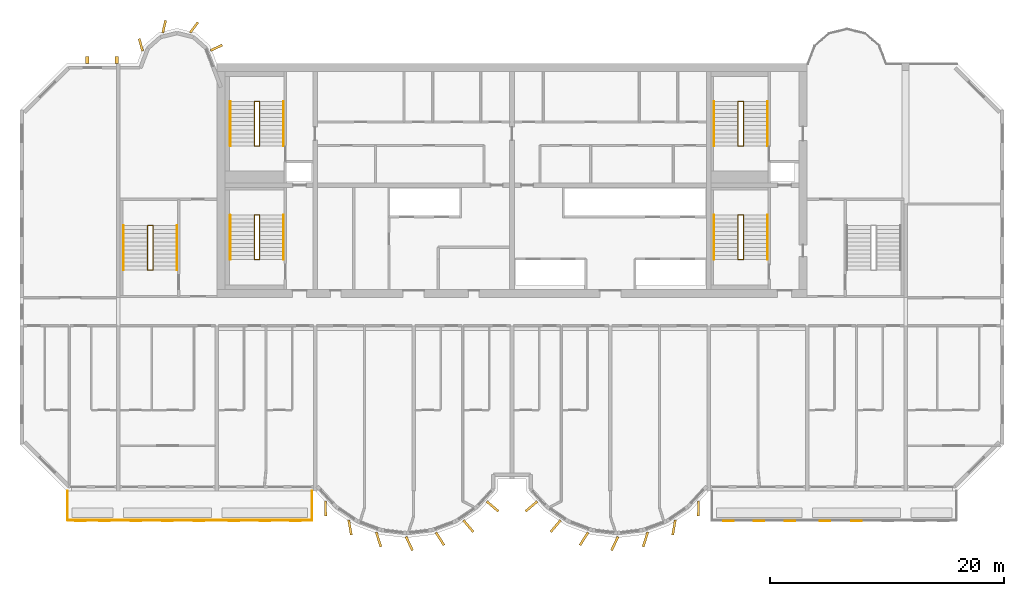
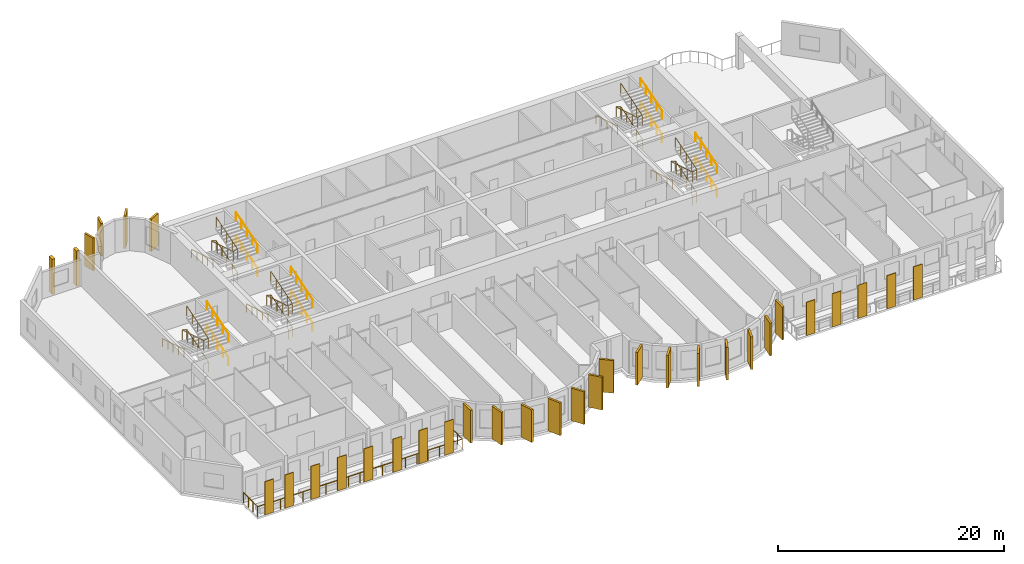
# One storey, part 11 of 13: 33 coverings, 21 railings.
"""IFC4 building model written with IfcOpenShell, lengths in metres."""

import ifcopenshell
import ifcopenshell.guid

model = None  # the IFC model being written
_history = None  # IfcOwnerHistory: only IFC2X3 demands one
_inside = {}  # id of a spatial element -> (the spatial element, [elements in it])
_under = {}  # id of a project, library or spatial element -> (it, [spatial elements below it])
_declared = {}  # id of a project -> (the project, [libraries it declares])
_typed = {}  # id of a type object -> (the type object, [elements of that type])
_made_of = {}  # id of a material, layer set ... -> (it, [elements and type objects made of it])


def new_model(schema):
    """Start an empty IFC model of exactly this schema.

    Asked for "IFC4X3", IfcOpenShell would pick the latest addendum, in which some entities
    have other attributes; the version numbers below select the first issue.
    IFC2X3 requires an IfcOwnerHistory on every rooted entity: one is made here for all.
    """
    global model, _history
    if schema == "IFC4X3":
        model = ifcopenshell.file(schema_version=(4, 3, 0, 0))
    else:
        model = ifcopenshell.file(schema=schema)
    _inside.clear()
    _under.clear()
    _declared.clear()
    _typed.clear()
    _made_of.clear()
    _history = None
    if model.schema == "IFC2X3":
        org = make("IfcOrganization", Name="unknown")
        user = make(
            "IfcPersonAndOrganization",
            ThePerson=make("IfcPerson", FamilyName="unknown"),
            TheOrganization=org,
        )
        app = make(
            "IfcApplication",
            ApplicationDeveloper=org,
            Version="unknown",
            ApplicationFullName="unknown",
            ApplicationIdentifier="unknown",
        )
        _history = make(
            "IfcOwnerHistory",
            OwningUser=user,
            OwningApplication=app,
            ChangeAction="ADDED",
            CreationDate=0,
        )
    return model


def make(cls, **values):
    """One entity of the class cls with the attributes given. An attribute that is None is left unset."""
    return model.create_entity(
        cls, **{name: value for name, value in values.items() if value is not None}
    )


def rooted(cls, **values):
    """An entity with a GlobalId (a new one), such as an element, a storey or a relation."""
    return make(cls, GlobalId=ifcopenshell.guid.new(), OwnerHistory=_history, **values)


def si_unit(unit_type, name, prefix=None):
    """IfcSIUnit, for example si_unit("LENGTHUNIT", "METRE", prefix="MILLI")."""
    return make("IfcSIUnit", UnitType=unit_type, Prefix=prefix, Name=name)


def assignment(units):
    """IfcUnitAssignment: the units of a project."""
    return None if units is None else make("IfcUnitAssignment", Units=units)


def point(xyz):
    """IfcCartesianPoint."""
    return None if xyz is None else make("IfcCartesianPoint", Coordinates=xyz)


def direction(xyz):
    """IfcDirection."""
    return None if xyz is None else make("IfcDirection", DirectionRatios=xyz)


def frame(location, z_axis=None, x_axis=None):
    """IfcAxis2Placement3D, a coordinate frame: its origin and axes. An axis left out is left unset."""
    return make(
        "IfcAxis2Placement3D",
        Location=point(location),
        Axis=direction(z_axis),
        RefDirection=direction(x_axis),
    )


def frame_2d(location, x_axis=None):
    """IfcAxis2Placement2D, a coordinate frame in the plane: its origin and x axis."""
    return make(
        "IfcAxis2Placement2D", Location=point(location), RefDirection=direction(x_axis)
    )


def origin():
    """The frame at (0, 0, 0) with its axes left unset."""
    return frame((0.0, 0.0, 0.0))


def origin_2d():
    """The frame at (0, 0) in the plane with its x axis left unset."""
    return frame_2d((0.0, 0.0))


def place(relative_to, where):
    """IfcLocalPlacement: puts the frame where relative to a parent placement (None: the world)."""
    return make(
        "IfcLocalPlacement", PlacementRelTo=relative_to, RelativePlacement=where
    )


def context(
    kind, dimensions, precision=None, world=None, true_north=None, identifier=None
):
    """IfcGeometricRepresentationContext, for example the 3D "Model" context."""
    return make(
        "IfcGeometricRepresentationContext",
        ContextIdentifier=identifier,
        ContextType=kind,
        CoordinateSpaceDimension=dimensions,
        Precision=precision,
        WorldCoordinateSystem=world,
        TrueNorth=true_north,
    )


def subcontext(parent, identifier, kind, view, scale=None):
    """IfcGeometricRepresentationSubContext, for example "Body" below "Model"."""
    return make(
        "IfcGeometricRepresentationSubContext",
        ContextIdentifier=identifier,
        ContextType=kind,
        ParentContext=parent,
        TargetScale=scale,
        TargetView=view,
    )


def project(units=None, contexts=None):
    """IfcProject with its units and contexts."""
    return rooted(
        "IfcProject",
        Name="project",
        RepresentationContexts=contexts,
        UnitsInContext=assignment(units),
    )


def spatial(cls, under=None, at=None, **own):
    """A site, building, storey or space (cls), placed at a placement, below another one or the project."""
    s = rooted(cls, ObjectPlacement=at, **own)
    if under is not None:
        _under.setdefault(under.id(), (under, []))[1].append(s)
    return s


def profile(cls, at=None, kind="AREA", **sizes):
    """A parametric profile (cls). Its sizes go by their IFC names, for example OverallWidth=200.0."""
    return make(cls, ProfileType=kind, Position=at, **sizes)


def rectangle(**sizes):
    """IfcRectangleProfileDef."""
    return profile("IfcRectangleProfileDef", **sizes)


def circle(**sizes):
    """IfcCircleProfileDef."""
    return profile("IfcCircleProfileDef", **sizes)


def extrude(swept, where, along, depth):
    """IfcExtrudedAreaSolid: the profile swept, set in the frame where, extruded along a direction by depth."""
    return make(
        "IfcExtrudedAreaSolid",
        SweptArea=swept,
        Position=where,
        ExtrudedDirection=direction(along),
        Depth=depth,
    )


def shape(context_of_items, identifier, shape_type, items):
    """IfcShapeRepresentation: the items that make up one representation, for example the "Body"."""
    return make(
        "IfcShapeRepresentation",
        ContextOfItems=context_of_items,
        RepresentationIdentifier=identifier,
        RepresentationType=shape_type,
        Items=items,
    )


def source(mapping_origin, context_of_items, identifier, shape_type, items):
    """IfcRepresentationMap: a shape defined once, which mapped items show again and again."""
    return make(
        "IfcRepresentationMap",
        MappingOrigin=mapping_origin,
        MappedRepresentation=shape(context_of_items, identifier, shape_type, items),
    )


def transform(
    local_origin,
    x_axis=None,
    y_axis=None,
    z_axis=None,
    scale=None,
    scale2=None,
    scale3=None,
    uniform=True,
):
    """IfcCartesianTransformationOperator3D, or its non-uniform kind. x_axis, y_axis, z_axis: its Axis1, 2, 3."""
    if uniform:
        return make(
            "IfcCartesianTransformationOperator3D",
            Axis1=direction(x_axis),
            Axis2=direction(y_axis),
            LocalOrigin=point(local_origin),
            Scale=scale,
            Axis3=direction(z_axis),
        )
    return make(
        "IfcCartesianTransformationOperator3DnonUniform",
        Axis1=direction(x_axis),
        Axis2=direction(y_axis),
        LocalOrigin=point(local_origin),
        Scale=scale,
        Axis3=direction(z_axis),
        Scale2=scale2,
        Scale3=scale3,
    )


def mapped(mapping_source, mapping_target):
    """IfcMappedItem: shows the shape of a source again, moved by a transform."""
    return make(
        "IfcMappedItem", MappingSource=mapping_source, MappingTarget=mapping_target
    )


def material(Name=None, Category=None):
    """IfcMaterial."""
    return make("IfcMaterial", Name=Name, Category=Category)


def layer(
    of_material, thickness, ventilated=None, Name=None, Category=None, Priority=None
):
    """IfcMaterialLayer: one layer of a wall or slab, of a material (None: an air gap)."""
    return make(
        "IfcMaterialLayer",
        Material=of_material,
        LayerThickness=thickness,
        IsVentilated=ventilated,
        Name=Name,
        Category=Category,
        Priority=Priority,
    )


def layer_set(layers, Name=None):
    """IfcMaterialLayerSet."""
    return make("IfcMaterialLayerSet", MaterialLayers=layers, LayerSetName=Name)


def material_profile(
    of_material, cross_section, Name=None, Category=None, Priority=None
):
    """IfcMaterialProfile: a cross section and its material."""
    return make(
        "IfcMaterialProfile",
        Name=Name,
        Material=of_material,
        Profile=cross_section,
        Priority=Priority,
        Category=Category,
    )


def profile_set(profiles, Name=None, composite=None):
    """IfcMaterialProfileSet."""
    return make(
        "IfcMaterialProfileSet",
        Name=Name,
        MaterialProfiles=profiles,
        CompositeProfile=composite,
    )


def made_of(thing, what):
    """Note that an element or type object is made of a material, layer set ...; save() writes the relation."""
    if what is not None:
        _made_of.setdefault(what.id(), (what, []))[1].append(thing)
    return thing


def type_object(cls, material=None, **own):
    """A type object (cls), such as IfcWallType, which elements share."""
    return made_of(rooted(cls, **own), material)


def element(
    cls,
    number,
    at=None,
    inside=None,
    cuts=None,
    type_object=None,
    material=None,
    context=None,
    identifier="Body",
    shape_type=None,
    held_by="IfcProductDefinitionShape",
    body=None,
    shapes=None,
    **own,
):
    """One element of the class cls, such as IfcWall. Its Tag is "e" and its number.

    at: its placement. inside: the storey or other place that contains it. cuts: it is an
    opening in that element (IfcRelVoidsElement). A single representation is given by context,
    identifier, shape_type and body (its items); several are given by shapes. held_by: the class
    of the entity that holds the representations. save() writes the other relations.
    """
    e = rooted(cls, Tag="e%d" % number, ObjectPlacement=at, **own)
    if body is not None:
        shapes = [shape(context, identifier, shape_type, body)]
    if shapes is not None:
        e.Representation = make(held_by, Representations=shapes)
    if inside is not None:
        _inside.setdefault(inside.id(), (inside, []))[1].append(e)
    if cuts is not None:
        rooted(
            "IfcRelVoidsElement", RelatingBuildingElement=cuts, RelatedOpeningElement=e
        )
    if type_object is not None:
        _typed.setdefault(type_object.id(), (type_object, []))[1].append(e)
    return made_of(e, material)


def aggregate(whole, parts):
    """IfcRelAggregates: a whole, such as a stair, and the parts it consists of."""
    return rooted("IfcRelAggregates", RelatingObject=whole, RelatedObjects=parts)


def save(model, path):
    """Write the relations noted so far, then the file.

    IfcRelAggregates (storeys below a building ...), IfcRelContainedInSpatialStructure (elements
    in a storey), IfcRelDefinesByType, IfcRelAssociatesMaterial and IfcRelDeclares: one each for
    every whole, place, type object, material and project.
    """
    for whole, parts in _under.values():
        aggregate(whole, parts)
    for where, things in _inside.values():
        rooted(
            "IfcRelContainedInSpatialStructure",
            RelatedElements=things,
            RelatingStructure=where,
        )
    for kind, things in _typed.values():
        rooted("IfcRelDefinesByType", RelatedObjects=things, RelatingType=kind)
    for what, things in _made_of.values():
        rooted("IfcRelAssociatesMaterial", RelatedObjects=things, RelatingMaterial=what)
    for by, libraries in _declared.values():
        rooted("IfcRelDeclares", RelatingContext=by, RelatedDefinitions=libraries)
    model.write(path)


model = new_model("IFC4")

# Units and contexts
model_context = context("Model", 3, precision=1e-05, world=origin(), true_north=direction((0.0, 1.0)))
body_context = subcontext(model_context, "Body", "Model", "MODEL_VIEW")
ifc_project = project(units=[si_unit("LENGTHUNIT", "METRE"), si_unit("AREAUNIT", "SQUARE_METRE"), si_unit("VOLUMEUNIT", "CUBIC_METRE"), si_unit("PLANEANGLEUNIT", "RADIAN"), si_unit("MASSUNIT", "GRAM", prefix="KILO")], contexts=[model_context])

# Site, building, storey
site_placement = place(None, origin())
site = spatial("IfcSite", under=ifc_project, at=site_placement, CompositionType="ELEMENT")
building_placement = place(site_placement, origin())
building = spatial("IfcBuilding", under=site, at=building_placement, Name="Vanashikhar Sky Hotel", CompositionType="ELEMENT")
storey_placement = place(building_placement, frame((0.0, 0.0, 170.60009765625)))
storey = spatial("IfcBuildingStorey", under=building, at=storey_placement, Name="L41", CompositionType="ELEMENT", Elevation=170.60009765625)

# Coverings
ifc_material_1 = material(Name="Terracotta", Category="masonry")
ifc_layer = layer(ifc_material_1, 0.06005859375)
ifc_layer_set = layer_set([ifc_layer], Name="Terracotta baguette screen")
covering_type_1 = type_object("IfcCoveringType", Name="Terracotta baguette screen", PredefinedType="CLADDING", material=ifc_layer_set)
shared_shape_1 = source(origin(), body_context, "Body", "SweptSolid", [
    extrude(rectangle(XDim=0.89990234375, YDim=0.06005859375, at=origin_2d()), origin(), (0.0, 0.0, 1.0), 3.60009765625),
])
for number, where, z_axis, x_axis, name in (
    (1, (13.574951171875, 2.929931640625, -0.050048828125), (0.0, 0.0, 1.0), (1.0, 0.0, 0.0), "Terracotta screen"),
    (2, (15.625, 2.929931640625, -0.050048828125), (0.0, 0.0, 1.0), (1.0, 0.0, 0.0), "Terracotta screen"),
    (3, (18.300048828125, 2.929931640625, -0.050048828125), (0.0, 0.0, 1.0), (1.0, 0.0, 0.0), "Terracotta screen"),
    (4, (21.0, 2.929931640625, -0.050048828125), (0.0, 0.0, 1.0), (1.0, 0.0, 0.0), "Terracotta screen"),
    (5, (23.699951171875, 2.929931640625, -0.050048828125), (0.0, 0.0, 1.0), (1.0, 0.0, 0.0), "Terracotta screen"),
    (6, (26.666748046875, 2.929931640625, -0.050048828125), (0.0, 0.0, 1.0), (1.0, 0.0, 0.0), "Terracotta screen"),
    (7, (29.300048828125, 2.929931640625, -0.050048828125), (0.0, 0.0, 1.0), (1.0, 0.0, 0.0), "Terracotta screen"),
    (8, (31.933349609375, 2.929931640625, -0.050048828125), (0.0, 0.0, 1.0), (1.0, 0.0, 0.0), "Terracotta screen"),
    (9, (68.86669921875, 2.929931640625, -0.050048828125), (0.0, 0.0, 1.0), (1.0, 0.0, 0.0), "Terracotta screen"),
    (10, (71.5, 2.929931640625, -0.050048828125), (0.0, 0.0, 1.0), (1.0, 0.0, 0.0), "Terracotta screen"),
    (11, (74.13330078125, 2.929931640625, -0.050048828125), (0.0, 0.0, 1.0), (1.0, 0.0, 0.0), "Terracotta screen"),
    (12, (77.10009765625, 2.929931640625, -0.050048828125), (0.0, 0.0, 1.0), (1.0, 0.0, 0.0), "Terracotta screen"),
    (13, (79.800048828125, 2.929931640625, -0.050048828125), (0.0, 0.0, 1.0), (1.0, 0.0, 0.0), "Terracotta screen"),
):
    element("IfcCovering", number, at=place(storey_placement, frame(where, z_axis=z_axis, x_axis=x_axis)), inside=storey, type_object=covering_type_1, Name=name, PredefinedType="CLADDING", context=body_context, shape_type="MappedRepresentation", body=[
        mapped(shared_shape_1, transform((0.0, 0.0, 0.0), scale=1.0)),
    ])
ifc_material_2 = material(Name="Concrete M60 dark", Category="concrete")
ifc_material_profile_1 = material_profile(ifc_material_2, rectangle(XDim=1.300048828125, YDim=0.199951171875, at=origin_2d()))
ifc_profile_set_1 = profile_set([ifc_material_profile_1], Name="Fin 1300 x 200")
covering_type_2 = type_object("IfcCoveringType", Name="Fin 1300 x 200", PredefinedType="CLADDING", material=ifc_profile_set_1)
shared_shape_2 = source(origin(), body_context, "Body", "SweptSolid", [
    extrude(rectangle(XDim=1.300048828125, YDim=0.199951171875, at=origin_2d()), origin(), (0.0, 0.0, 1.0), 3.52001953125),
])
for number, where, z_axis, x_axis, name in (
    (14, (34.482421875, 3.992919921875, 0.0), (0.0, 0.0, 1.0), (0.011588726826, -0.999932848451, 0.0), "Fin F1-1"),
    (15, (36.572509765625, 2.3779296875, 0.0), (0.0, 0.0, 1.0), (0.16989991575, -0.985461322746, 0.0), "Fin F1-2"),
    (16, (39.00830078125, 1.35693359375, 0.0), (0.0, 0.0, 1.0), (0.303966551867, -0.952682704444, 0.0), "Fin F1-3"),
    (17, (41.63232421875, 1.00146484375, 0.0), (0.0, 0.0, 1.0), (0.422618261741, -0.906307787037, 0.0), "Fin F1-4"),
    (18, (44.251953125, 1.416015625, 0.0), (0.0, 0.0, 1.0), (0.534411358496, -0.845224526331, 0.0), "Fin F1-5"),
    (19, (46.676025390625, 2.5, 0.0), (0.0, 0.0, 1.0), (0.645697609467, -0.763593214433, 0.0), "Fin F1-6"),
    (20, (48.7412109375, 4.1845703125, 0.0), (0.0, 0.0, 1.0), (0.758543912032, -0.65162192529, 0.0), "Fin F1-7"),
    (21, (52.058837890625, 4.1845703125, 0.0), (0.0, 0.0, 1.0), (-0.758543912032, -0.65162192529, 0.0), "Fin F2-1"),
    (22, (54.123779296875, 2.5, 0.0), (0.0, 0.0, 1.0), (-0.645697609467, -0.763593214433, 0.0), "Fin F2-2"),
    (23, (56.547119140625, 1.416015625, 0.0), (0.0, 0.0, 1.0), (-0.534411358496, -0.845224526331, 0.0), "Fin F2-3"),
    (24, (59.16748046875, 1.00146484375, 0.0), (0.0, 0.0, 1.0), (-0.422618261741, -0.906307787037, 0.0), "Fin F2-4"),
    (25, (61.790771484375, 1.35693359375, 0.0), (0.0, 0.0, 1.0), (-0.303966551867, -0.952682704444, 0.0), "Fin F2-5"),
    (26, (64.2275390625, 2.3779296875, 0.0), (0.0, 0.0, 1.0), (-0.16989991575, -0.985461322746, 0.0), "Fin F2-6"),
    (27, (66.317626953125, 3.992919921875, 0.0), (0.0, 0.0, 1.0), (-0.011588726826, -0.999932848451, 0.0), "Fin F2-7"),
):
    element("IfcCovering", number, at=place(storey_placement, frame(where, z_axis=z_axis, x_axis=x_axis)), inside=storey, type_object=covering_type_2, Name=name, PredefinedType="CLADDING", context=body_context, shape_type="MappedRepresentation", body=[
        mapped(shared_shape_2, transform((0.0, 0.0, 0.0), scale=1.0)),
    ])
ifc_material_profile_2 = material_profile(ifc_material_2, rectangle(XDim=1.10009765625, YDim=0.199951171875, at=origin_2d()))
ifc_profile_set_2 = profile_set([ifc_material_profile_2], Name="Rear lobe fin 1100 x 200")
covering_type_3 = type_object("IfcCoveringType", Name="Rear lobe fin 1100 x 200", PredefinedType="CLADDING", material=ifc_profile_set_2)
shared_shape_3 = source(origin(), body_context, "Body", "SweptSolid", [
    extrude(rectangle(XDim=1.10009765625, YDim=0.199951171875, at=origin_2d()), origin(), (0.0, 0.0, 1.0), 3.52001953125),
])
for number, where, z_axis, x_axis, name in (
    (28, (18.720703125, 43.580078125, 0.0), (0.0, 0.0, 1.0), (-0.262711264409, 0.964874495234, 0.0), "Fin R1-1"),
    (29, (20.710205078125, 45.1455078125, 0.0), (0.0, 0.0, 1.0), (0.224644935864, 0.974440687159, 0.0), "Fin R1-2"),
    (30, (23.261962890625, 45.06640625, 0.0), (0.0, 0.0, 1.0), (0.602065892195, 0.798446404874, 0.0), "Fin R1-3"),
    (31, (25.169677734375, 43.33447265625, 0.0), (0.0, 0.0, 1.0), (0.908004291068, 0.418960866193, 0.0), "Fin R1-4"),
):
    element("IfcCovering", number, at=place(storey_placement, frame(where, z_axis=z_axis, x_axis=x_axis)), inside=storey, type_object=covering_type_3, Name=name, PredefinedType="CLADDING", context=body_context, shape_type="MappedRepresentation", body=[
        mapped(shared_shape_3, transform((0.0, 0.0, 0.0), scale=1.0)),
    ])

# Railing
ifc_material_3 = material(Name="Stainless steel 316", Category="steel")
railing_type_1 = type_object("IfcRailingType", Name="Balcony guard 1100", PredefinedType="GUARDRAIL", material=ifc_material_3)
shared_shape_4 = source(origin(), body_context, "Body", "SweptSolid", [
    extrude(circle(Radius=0.02392578125, at=origin_2d()), frame((0.0, 0.0, 1.076171875), z_axis=(0.0, -1.0, 0.0), x_axis=(1.0, 0.0, 0.0)), (0.0, 0.0, 1.0), 2.5),
    extrude(circle(Radius=0.02392578125, at=origin_2d()), frame((0.0, -2.5, 1.076171875), z_axis=(1.0, 0.0, 0.0), x_axis=(0.0, 1.0, 0.0)), (0.0, 0.0, 1.0), 20.880126953125),
    extrude(circle(Radius=0.02392578125, at=origin_2d()), frame((20.880126953125, -2.5, 1.076171875), z_axis=(0.0, 1.0, 0.0), x_axis=(-1.0, 0.0, 0.0)), (0.0, 0.0, 1.0), 2.5),
    extrude(circle(Radius=0.02099609375, at=origin_2d()), origin(), (0.0, 0.0, 1.0), 1.052001953125),
    extrude(circle(Radius=0.02099609375, at=origin_2d()), frame((0.0, -0.833251953125, 0.0)), (0.0, 0.0, 1.0), 1.052001953125),
    extrude(circle(Radius=0.02099609375, at=origin_2d()), frame((0.0, -1.666748046875, 0.0)), (0.0, 0.0, 1.0), 1.052001953125),
    extrude(circle(Radius=0.02099609375, at=origin_2d()), frame((0.0, -2.5, 0.0)), (0.0, 0.0, 1.0), 1.052001953125),
    extrude(circle(Radius=0.02099609375, at=origin_2d()), frame((1.159912109375, -2.5, 0.0)), (0.0, 0.0, 1.0), 1.052001953125),
    extrude(circle(Radius=0.02099609375, at=origin_2d()), frame((2.320068359375, -2.5, 0.0)), (0.0, 0.0, 1.0), 1.052001953125),
    extrude(circle(Radius=0.02099609375, at=origin_2d()), frame((3.47998046875, -2.5, 0.0)), (0.0, 0.0, 1.0), 1.052001953125),
    extrude(circle(Radius=0.02099609375, at=origin_2d()), frame((4.64013671875, -2.5, 0.0)), (0.0, 0.0, 1.0), 1.052001953125),
    extrude(circle(Radius=0.02099609375, at=origin_2d()), frame((5.800048828125, -2.5, 0.0)), (0.0, 0.0, 1.0), 1.052001953125),
    extrude(circle(Radius=0.02099609375, at=origin_2d()), frame((6.9599609375, -2.5, 0.0)), (0.0, 0.0, 1.0), 1.052001953125),
    extrude(circle(Radius=0.02099609375, at=origin_2d()), frame((8.1201171875, -2.5, 0.0)), (0.0, 0.0, 1.0), 1.052001953125),
    extrude(circle(Radius=0.02099609375, at=origin_2d()), frame((9.280029296875, -2.5, 0.0)), (0.0, 0.0, 1.0), 1.052001953125),
    extrude(circle(Radius=0.02099609375, at=origin_2d()), frame((10.43994140625, -2.5, 0.0)), (0.0, 0.0, 1.0), 1.052001953125),
    extrude(circle(Radius=0.02099609375, at=origin_2d()), frame((11.60009765625, -2.5, 0.0)), (0.0, 0.0, 1.0), 1.052001953125),
    extrude(circle(Radius=0.02099609375, at=origin_2d()), frame((12.760009765625, -2.5, 0.0)), (0.0, 0.0, 1.0), 1.052001953125),
    extrude(circle(Radius=0.02099609375, at=origin_2d()), frame((13.920166015625, -2.5, 0.0)), (0.0, 0.0, 1.0), 1.052001953125),
    extrude(circle(Radius=0.02099609375, at=origin_2d()), frame((15.080078125, -2.5, 0.0)), (0.0, 0.0, 1.0), 1.052001953125),
    extrude(circle(Radius=0.02099609375, at=origin_2d()), frame((16.239990234375, -2.5, 0.0)), (0.0, 0.0, 1.0), 1.052001953125),
    extrude(circle(Radius=0.02099609375, at=origin_2d()), frame((17.400146484375, -2.5, 0.0)), (0.0, 0.0, 1.0), 1.052001953125),
    extrude(circle(Radius=0.02099609375, at=origin_2d()), frame((18.56005859375, -2.5, 0.0)), (0.0, 0.0, 1.0), 1.052001953125),
    extrude(circle(Radius=0.02099609375, at=origin_2d()), frame((19.72021484375, -2.5, 0.0)), (0.0, 0.0, 1.0), 1.052001953125),
    extrude(circle(Radius=0.02099609375, at=origin_2d()), frame((20.880126953125, -2.5, 0.0)), (0.0, 0.0, 1.0), 1.052001953125),
    extrude(circle(Radius=0.02099609375, at=origin_2d()), frame((20.880126953125, -1.666748046875, 0.0)), (0.0, 0.0, 1.0), 1.052001953125),
    extrude(circle(Radius=0.02099609375, at=origin_2d()), frame((20.880126953125, -0.833251953125, 0.0)), (0.0, 0.0, 1.0), 1.052001953125),
    extrude(circle(Radius=0.02099609375, at=origin_2d()), frame((20.880126953125, 0.0, 0.0)), (0.0, 0.0, 1.0), 1.052001953125),
])
railing_1_placement = place(storey_placement, frame((12.4599609375, 5.5, -0.050048828125)))
element("IfcRailing", 32, at=railing_1_placement, inside=storey, type_object=railing_type_1, Name="Balcony guard", PredefinedType="GUARDRAIL", context=body_context, shape_type="MappedRepresentation", body=[
    mapped(shared_shape_4, transform((0.0, 0.0, 0.0), scale=1.0)),
])

# Coverings
ifc_material_profile_3 = material_profile(ifc_material_2, rectangle(XDim=0.60009765625, YDim=0.300048828125, at=origin_2d()))
ifc_profile_set_3 = profile_set([ifc_material_profile_3], Name="Rear rib 600 x 300")
covering_type_4 = type_object("IfcCoveringType", Name="Rear rib 600 x 300", PredefinedType="CLADDING", material=ifc_profile_set_3)
shared_shape_5 = source(origin(), body_context, "Body", "SweptSolid", [
    extrude(rectangle(XDim=0.60009765625, YDim=0.300048828125, at=origin_2d()), origin(), (0.0, 0.0, 1.0), 3.800048828125),
])
for number, where, z_axis, x_axis, name in (
    (33, (14.14990234375, 42.300048828125, -0.280029296875), (0.0, 0.0, 1.0), (0.0, 1.0, 0.0), "Rear rib"),
    (34, (16.64990234375, 42.300048828125, -0.280029296875), (0.0, 0.0, 1.0), (0.0, 1.0, 0.0), "Rear rib"),
):
    element("IfcCovering", number, at=place(storey_placement, frame(where, z_axis=z_axis, x_axis=x_axis)), inside=storey, type_object=covering_type_4, Name=name, PredefinedType="CLADDING", context=body_context, shape_type="MappedRepresentation", body=[
        mapped(shared_shape_5, transform((0.0, 0.0, 0.0), scale=1.0)),
    ])

# Railings
ifc_material_4 = material(Name="Steel S355", Category="steel")
railing_type_2 = type_object("IfcRailingType", Name="Stair handrail 900", PredefinedType="HANDRAIL", material=ifc_material_4)
shared_shape_6 = source(origin(), body_context, "Body", "SweptSolid", [
    extrude(circle(Radius=0.02392578125, at=origin_2d()), frame((0.0, 0.0, 0.8759765625), z_axis=(0.0, 0.95635109408, 0.292220096591), x_axis=(-1.0, 0.0, 0.0)), (0.0, 0.0, 1.0), 3.973388671875),
    extrude(circle(Radius=0.02099609375, at=origin_2d()), origin(), (0.0, 0.0, 1.0), 0.851806640625),
    extrude(circle(Radius=0.02099609375, at=origin_2d()), frame((0.0, 0.949951171875, 0.290283203125)), (0.0, 0.0, 1.0), 0.851806640625),
    extrude(circle(Radius=0.02099609375, at=origin_2d()), frame((0.0, 1.89990234375, 0.58056640625)), (0.0, 0.0, 1.0), 0.851806640625),
    extrude(circle(Radius=0.02099609375, at=origin_2d()), frame((0.0, 2.85009765625, 0.870849609375)), (0.0, 0.0, 1.0), 0.851806640625),
    extrude(circle(Radius=0.02099609375, at=origin_2d()), frame((0.0, 3.800048828125, 1.1611328125)), (0.0, 0.0, 1.0), 0.851806640625),
])
for number, where, name in (
    (35, (30.89990234375, 25.25, 0.10546875), "Exit stair 1 handrail"),
    (36, (30.89990234375, 25.25, 2.638671875), "Exit stair 1 handrail"),
    (37, (72.199951171875, 25.25, 0.10546875), "Exit stair 2 handrail"),
    (38, (72.199951171875, 25.25, 2.638671875), "Exit stair 2 handrail"),
    (39, (30.89990234375, 34.949951171875, 0.10546875), "Exit stair 5 handrail"),
    (40, (30.89990234375, 34.949951171875, 2.638671875), "Exit stair 5 handrail"),
    (41, (72.199951171875, 34.949951171875, 0.10546875), "Exit stair 6 handrail"),
    (42, (72.199951171875, 34.949951171875, 2.638671875), "Exit stair 6 handrail"),
):
    element("IfcRailing", number, at=place(storey_placement, frame(where)), inside=storey, type_object=railing_type_2, Name=name, PredefinedType="HANDRAIL", context=body_context, shape_type="MappedRepresentation", body=[
        mapped(shared_shape_6, transform((0.0, 0.0, 0.0), scale=1.0)),
    ])
shared_shape_7 = source(origin(), body_context, "Body", "SweptSolid", [
    extrude(circle(Radius=0.02392578125, at=origin_2d()), frame((0.0, 0.0, 0.8759765625), z_axis=(0.0, -0.95635109408, 0.292220096591), x_axis=(1.0, 0.0, 0.0)), (0.0, 0.0, 1.0), 3.973388671875),
    extrude(circle(Radius=0.02099609375, at=origin_2d()), origin(), (0.0, 0.0, 1.0), 0.851806640625),
    extrude(circle(Radius=0.02099609375, at=origin_2d()), frame((0.0, -0.949951171875, 0.290283203125)), (0.0, 0.0, 1.0), 0.851806640625),
    extrude(circle(Radius=0.02099609375, at=origin_2d()), frame((0.0, -1.89990234375, 0.58056640625)), (0.0, 0.0, 1.0), 0.851806640625),
    extrude(circle(Radius=0.02099609375, at=origin_2d()), frame((0.0, -2.85009765625, 0.870849609375)), (0.0, 0.0, 1.0), 0.851806640625),
    extrude(circle(Radius=0.02099609375, at=origin_2d()), frame((0.0, -3.800048828125, 1.1611328125)), (0.0, 0.0, 1.0), 0.851806640625),
])
for number, where, name in (
    (43, (26.35009765625, 29.050048828125, 1.3720703125), "Exit stair 1 handrail"),
    (44, (67.64990234375, 29.050048828125, 1.3720703125), "Exit stair 2 handrail"),
    (45, (26.35009765625, 38.75, 1.3720703125), "Exit stair 5 handrail"),
    (46, (67.64990234375, 38.75, 1.3720703125), "Exit stair 6 handrail"),
):
    element("IfcRailing", number, at=place(storey_placement, frame(where)), inside=storey, type_object=railing_type_2, Name=name, PredefinedType="HANDRAIL", context=body_context, shape_type="MappedRepresentation", body=[
        mapped(shared_shape_7, transform((0.0, 0.0, 0.0), scale=1.0)),
    ])
railing_type_3 = type_object("IfcRailingType", Name="Stair guard 1100", PredefinedType="GUARDRAIL", material=ifc_material_4)
shared_shape_8 = source(origin(), body_context, "Body", "SweptSolid", [
    extrude(circle(Radius=0.02392578125, at=origin_2d()), frame((0.0, 0.0, 1.076171875), z_axis=(0.973638301096, 0.0, 0.228097476179), x_axis=(0.0, 1.0, 0.0)), (0.0, 0.0, 1.0), 0.46240234375),
    extrude(circle(Radius=0.02392578125, at=origin_2d()), frame((0.4501953125, 0.0, 1.181640625), z_axis=(0.0, 0.95635109408, 0.292220096591), x_axis=(-1.0, 0.0, 0.0)), (0.0, 0.0, 1.0), 3.973388671875),
    extrude(circle(Radius=0.02392578125, at=origin_2d()), frame((0.4501953125, 3.800048828125, 2.3427734375), z_axis=(-0.973638301096, 0.0, 0.228097476179), x_axis=(0.0, -1.0, 0.0)), (0.0, 0.0, 1.0), 0.46240234375),
    extrude(circle(Radius=0.02392578125, at=origin_2d()), frame((0.0, 3.800048828125, 2.4482421875), z_axis=(0.0, -0.95635109408, 0.292220096591), x_axis=(1.0, 0.0, 0.0)), (0.0, 0.0, 1.0), 3.973388671875),
    extrude(circle(Radius=0.02392578125, at=origin_2d()), frame((0.0, 0.0, 3.609375), z_axis=(0.973638301096, 0.0, 0.228097476179), x_axis=(0.0, 1.0, 0.0)), (0.0, 0.0, 1.0), 0.46240234375),
    extrude(circle(Radius=0.02392578125, at=origin_2d()), frame((0.4501953125, 0.0, 3.71484375), z_axis=(0.0, 0.95635109408, 0.292220096591), x_axis=(-1.0, 0.0, 0.0)), (0.0, 0.0, 1.0), 3.973388671875),
    extrude(circle(Radius=0.02099609375, at=origin_2d()), origin(), (0.0, 0.0, 1.0), 1.052001953125),
    extrude(circle(Radius=0.02099609375, at=origin_2d()), frame((0.4501953125, 0.0, 0.10546875)), (0.0, 0.0, 1.0), 1.052001953125),
    extrude(circle(Radius=0.02099609375, at=origin_2d()), frame((0.4501953125, 0.949951171875, 0.395751953125)), (0.0, 0.0, 1.0), 1.052001953125),
    extrude(circle(Radius=0.02099609375, at=origin_2d()), frame((0.4501953125, 1.89990234375, 0.68603515625)), (0.0, 0.0, 1.0), 1.052001953125),
    extrude(circle(Radius=0.02099609375, at=origin_2d()), frame((0.4501953125, 2.85009765625, 0.976318359375)), (0.0, 0.0, 1.0), 1.052001953125),
    extrude(circle(Radius=0.02099609375, at=origin_2d()), frame((0.4501953125, 3.800048828125, 1.2666015625)), (0.0, 0.0, 1.0), 1.052001953125),
    extrude(circle(Radius=0.02099609375, at=origin_2d()), frame((0.0, 3.800048828125, 1.3720703125)), (0.0, 0.0, 1.0), 1.052001953125),
    extrude(circle(Radius=0.02099609375, at=origin_2d()), frame((0.0, 2.85009765625, 1.662353515625)), (0.0, 0.0, 1.0), 1.052001953125),
    extrude(circle(Radius=0.02099609375, at=origin_2d()), frame((0.0, 1.89990234375, 1.95263671875)), (0.0, 0.0, 1.0), 1.052001953125),
    extrude(circle(Radius=0.02099609375, at=origin_2d()), frame((0.0, 0.949951171875, 2.242919921875)), (0.0, 0.0, 1.0), 1.052001953125),
    extrude(circle(Radius=0.02099609375, at=origin_2d()), frame((0.0, 0.0, 2.533203125)), (0.0, 0.0, 1.0), 1.052001953125),
    extrude(circle(Radius=0.02099609375, at=origin_2d()), frame((0.4501953125, 0.0, 2.638671875)), (0.0, 0.0, 1.0), 1.052001953125),
    extrude(circle(Radius=0.02099609375, at=origin_2d()), frame((0.4501953125, 0.949951171875, 2.928955078125)), (0.0, 0.0, 1.0), 1.052001953125),
    extrude(circle(Radius=0.02099609375, at=origin_2d()), frame((0.4501953125, 1.89990234375, 3.21923828125)), (0.0, 0.0, 1.0), 1.052001953125),
    extrude(circle(Radius=0.02099609375, at=origin_2d()), frame((0.4501953125, 2.85009765625, 3.509521484375)), (0.0, 0.0, 1.0), 1.052001953125),
    extrude(circle(Radius=0.02099609375, at=origin_2d()), frame((0.4501953125, 3.800048828125, 3.7998046875)), (0.0, 0.0, 1.0), 1.052001953125),
])
for number, where, name in (
    (47, (28.39990234375, 25.25, 0.0), "Exit stair 1 guard"),
    (48, (28.39990234375, 34.949951171875, 0.0), "Exit stair 5 guard"),
):
    element("IfcRailing", number, at=place(storey_placement, frame(where)), inside=storey, type_object=railing_type_3, Name=name, PredefinedType="GUARDRAIL", context=body_context, shape_type="MappedRepresentation", body=[
        mapped(shared_shape_8, transform((0.0, 0.0, 0.0), scale=1.0)),
    ])
shared_shape_9 = source(origin(), body_context, "Body", "SweptSolid", [
    extrude(circle(Radius=0.02392578125, at=origin_2d()), frame((0.0, 0.0, 1.076171875), z_axis=(0.973610808694, 0.0, 0.228214796178), x_axis=(0.0, 1.0, 0.0)), (0.0, 0.0, 1.0), 0.462158203125),
    extrude(circle(Radius=0.02392578125, at=origin_2d()), frame((0.449951171875, 0.0, 1.181640625), z_axis=(0.0, 0.95635109408, 0.292220096591), x_axis=(-1.0, 0.0, 0.0)), (0.0, 0.0, 1.0), 3.973388671875),
    extrude(circle(Radius=0.02392578125, at=origin_2d()), frame((0.449951171875, 3.800048828125, 2.3427734375), z_axis=(-0.973610808694, 0.0, 0.228214796178), x_axis=(0.0, -1.0, 0.0)), (0.0, 0.0, 1.0), 0.462158203125),
    extrude(circle(Radius=0.02392578125, at=origin_2d()), frame((0.0, 3.800048828125, 2.4482421875), z_axis=(0.0, -0.95635109408, 0.292220096591), x_axis=(1.0, 0.0, 0.0)), (0.0, 0.0, 1.0), 3.973388671875),
    extrude(circle(Radius=0.02392578125, at=origin_2d()), frame((0.0, 0.0, 3.609375), z_axis=(0.973610808694, 0.0, 0.228214796178), x_axis=(0.0, 1.0, 0.0)), (0.0, 0.0, 1.0), 0.462158203125),
    extrude(circle(Radius=0.02392578125, at=origin_2d()), frame((0.449951171875, 0.0, 3.71484375), z_axis=(0.0, 0.95635109408, 0.292220096591), x_axis=(-1.0, 0.0, 0.0)), (0.0, 0.0, 1.0), 3.973388671875),
    extrude(circle(Radius=0.02099609375, at=origin_2d()), origin(), (0.0, 0.0, 1.0), 1.052001953125),
    extrude(circle(Radius=0.02099609375, at=origin_2d()), frame((0.449951171875, 0.0, 0.10546875)), (0.0, 0.0, 1.0), 1.052001953125),
    extrude(circle(Radius=0.02099609375, at=origin_2d()), frame((0.449951171875, 0.949951171875, 0.395751953125)), (0.0, 0.0, 1.0), 1.052001953125),
    extrude(circle(Radius=0.02099609375, at=origin_2d()), frame((0.449951171875, 1.89990234375, 0.68603515625)), (0.0, 0.0, 1.0), 1.052001953125),
    extrude(circle(Radius=0.02099609375, at=origin_2d()), frame((0.449951171875, 2.85009765625, 0.976318359375)), (0.0, 0.0, 1.0), 1.052001953125),
    extrude(circle(Radius=0.02099609375, at=origin_2d()), frame((0.449951171875, 3.800048828125, 1.2666015625)), (0.0, 0.0, 1.0), 1.052001953125),
    extrude(circle(Radius=0.02099609375, at=origin_2d()), frame((0.0, 3.800048828125, 1.3720703125)), (0.0, 0.0, 1.0), 1.052001953125),
    extrude(circle(Radius=0.02099609375, at=origin_2d()), frame((0.0, 2.85009765625, 1.662353515625)), (0.0, 0.0, 1.0), 1.052001953125),
    extrude(circle(Radius=0.02099609375, at=origin_2d()), frame((0.0, 1.89990234375, 1.95263671875)), (0.0, 0.0, 1.0), 1.052001953125),
    extrude(circle(Radius=0.02099609375, at=origin_2d()), frame((0.0, 0.949951171875, 2.242919921875)), (0.0, 0.0, 1.0), 1.052001953125),
    extrude(circle(Radius=0.02099609375, at=origin_2d()), frame((0.0, 0.0, 2.533203125)), (0.0, 0.0, 1.0), 1.052001953125),
    extrude(circle(Radius=0.02099609375, at=origin_2d()), frame((0.449951171875, 0.0, 2.638671875)), (0.0, 0.0, 1.0), 1.052001953125),
    extrude(circle(Radius=0.02099609375, at=origin_2d()), frame((0.449951171875, 0.949951171875, 2.928955078125)), (0.0, 0.0, 1.0), 1.052001953125),
    extrude(circle(Radius=0.02099609375, at=origin_2d()), frame((0.449951171875, 1.89990234375, 3.21923828125)), (0.0, 0.0, 1.0), 1.052001953125),
    extrude(circle(Radius=0.02099609375, at=origin_2d()), frame((0.449951171875, 2.85009765625, 3.509521484375)), (0.0, 0.0, 1.0), 1.052001953125),
    extrude(circle(Radius=0.02099609375, at=origin_2d()), frame((0.449951171875, 3.800048828125, 3.7998046875)), (0.0, 0.0, 1.0), 1.052001953125),
])
for number, where, name in (
    (49, (69.699951171875, 25.25, 0.0), "Exit stair 2 guard"),
    (50, (69.699951171875, 34.949951171875, 0.0), "Exit stair 6 guard"),
):
    element("IfcRailing", number, at=place(storey_placement, frame(where)), inside=storey, type_object=railing_type_3, Name=name, PredefinedType="GUARDRAIL", context=body_context, shape_type="MappedRepresentation", body=[
        mapped(shared_shape_9, transform((0.0, 0.0, 0.0), scale=1.0)),
    ])
shared_shape_10 = source(origin(), body_context, "Body", "SweptSolid", [
    extrude(circle(Radius=0.02392578125, at=origin_2d()), frame((0.0, 0.0, 0.8759765625), z_axis=(0.0, 0.956345846891, 0.292237268557), x_axis=(-1.0, 0.0, 0.0)), (0.0, 0.0, 1.0), 3.97314453125),
    extrude(circle(Radius=0.02099609375, at=origin_2d()), origin(), (0.0, 0.0, 1.0), 0.851806640625),
    extrude(circle(Radius=0.02099609375, at=origin_2d()), frame((0.0, 0.949951171875, 0.290283203125)), (0.0, 0.0, 1.0), 0.851806640625),
    extrude(circle(Radius=0.02099609375, at=origin_2d()), frame((0.0, 1.89990234375, 0.58056640625)), (0.0, 0.0, 1.0), 0.851806640625),
    extrude(circle(Radius=0.02099609375, at=origin_2d()), frame((0.0, 2.849853515625, 0.870849609375)), (0.0, 0.0, 1.0), 0.851806640625),
    extrude(circle(Radius=0.02099609375, at=origin_2d()), frame((0.0, 3.7998046875, 1.1611328125)), (0.0, 0.0, 1.0), 0.851806640625),
])
for number, where, name in (
    (51, (21.800048828125, 24.35009765625, 0.10546875), "Exit stair 3 handrail"),
    (52, (21.800048828125, 24.35009765625, 2.638671875), "Exit stair 3 handrail"),
):
    element("IfcRailing", number, at=place(storey_placement, frame(where)), inside=storey, type_object=railing_type_2, Name=name, PredefinedType="HANDRAIL", context=body_context, shape_type="MappedRepresentation", body=[
        mapped(shared_shape_10, transform((0.0, 0.0, 0.0), scale=1.0)),
    ])
shared_shape_11 = source(origin(), body_context, "Body", "SweptSolid", [
    extrude(circle(Radius=0.02392578125, at=origin_2d()), frame((0.0, 0.0, 0.8759765625), z_axis=(0.0, -0.956345846891, 0.292237268557), x_axis=(1.0, 0.0, 0.0)), (0.0, 0.0, 1.0), 3.97314453125),
    extrude(circle(Radius=0.02099609375, at=origin_2d()), origin(), (0.0, 0.0, 1.0), 0.851806640625),
    extrude(circle(Radius=0.02099609375, at=origin_2d()), frame((0.0, -0.949951171875, 0.290283203125)), (0.0, 0.0, 1.0), 0.851806640625),
    extrude(circle(Radius=0.02099609375, at=origin_2d()), frame((0.0, -1.89990234375, 0.58056640625)), (0.0, 0.0, 1.0), 0.851806640625),
    extrude(circle(Radius=0.02099609375, at=origin_2d()), frame((0.0, -2.849853515625, 0.870849609375)), (0.0, 0.0, 1.0), 0.851806640625),
    extrude(circle(Radius=0.02099609375, at=origin_2d()), frame((0.0, -3.7998046875, 1.1611328125)), (0.0, 0.0, 1.0), 0.851806640625),
])
railing_2_placement = place(storey_placement, frame((17.25, 28.14990234375, 1.3720703125)))
element("IfcRailing", 53, at=railing_2_placement, inside=storey, type_object=railing_type_2, Name="Exit stair 3 handrail", PredefinedType="HANDRAIL", context=body_context, shape_type="MappedRepresentation", body=[
    mapped(shared_shape_11, transform((0.0, 0.0, 0.0), scale=1.0)),
])
shared_shape_12 = source(origin(), body_context, "Body", "SweptSolid", [
    extrude(circle(Radius=0.02392578125, at=origin_2d()), frame((0.0, 0.0, 1.076171875), z_axis=(0.973610808694, 0.0, 0.228214796178), x_axis=(0.0, 1.0, 0.0)), (0.0, 0.0, 1.0), 0.462158203125),
    extrude(circle(Radius=0.02392578125, at=origin_2d()), frame((0.449951171875, 0.0, 1.181640625), z_axis=(0.0, 0.956345846891, 0.292237268557), x_axis=(-1.0, 0.0, 0.0)), (0.0, 0.0, 1.0), 3.97314453125),
    extrude(circle(Radius=0.02392578125, at=origin_2d()), frame((0.449951171875, 3.7998046875, 2.3427734375), z_axis=(-0.973610808694, 0.0, 0.228214796178), x_axis=(0.0, -1.0, 0.0)), (0.0, 0.0, 1.0), 0.462158203125),
    extrude(circle(Radius=0.02392578125, at=origin_2d()), frame((0.0, 3.7998046875, 2.4482421875), z_axis=(0.0, -0.956345846891, 0.292237268557), x_axis=(1.0, 0.0, 0.0)), (0.0, 0.0, 1.0), 3.97314453125),
    extrude(circle(Radius=0.02392578125, at=origin_2d()), frame((0.0, 0.0, 3.609375), z_axis=(0.973610808694, 0.0, 0.228214796178), x_axis=(0.0, 1.0, 0.0)), (0.0, 0.0, 1.0), 0.462158203125),
    extrude(circle(Radius=0.02392578125, at=origin_2d()), frame((0.449951171875, 0.0, 3.71484375), z_axis=(0.0, 0.956345846891, 0.292237268557), x_axis=(-1.0, 0.0, 0.0)), (0.0, 0.0, 1.0), 3.97314453125),
    extrude(circle(Radius=0.02099609375, at=origin_2d()), origin(), (0.0, 0.0, 1.0), 1.052001953125),
    extrude(circle(Radius=0.02099609375, at=origin_2d()), frame((0.449951171875, 0.0, 0.10546875)), (0.0, 0.0, 1.0), 1.052001953125),
    extrude(circle(Radius=0.02099609375, at=origin_2d()), frame((0.449951171875, 0.949951171875, 0.395751953125)), (0.0, 0.0, 1.0), 1.052001953125),
    extrude(circle(Radius=0.02099609375, at=origin_2d()), frame((0.449951171875, 1.89990234375, 0.68603515625)), (0.0, 0.0, 1.0), 1.052001953125),
    extrude(circle(Radius=0.02099609375, at=origin_2d()), frame((0.449951171875, 2.849853515625, 0.976318359375)), (0.0, 0.0, 1.0), 1.052001953125),
    extrude(circle(Radius=0.02099609375, at=origin_2d()), frame((0.449951171875, 3.7998046875, 1.2666015625)), (0.0, 0.0, 1.0), 1.052001953125),
    extrude(circle(Radius=0.02099609375, at=origin_2d()), frame((0.0, 3.7998046875, 1.3720703125)), (0.0, 0.0, 1.0), 1.052001953125),
    extrude(circle(Radius=0.02099609375, at=origin_2d()), frame((0.0, 2.849853515625, 1.662353515625)), (0.0, 0.0, 1.0), 1.052001953125),
    extrude(circle(Radius=0.02099609375, at=origin_2d()), frame((0.0, 1.89990234375, 1.95263671875)), (0.0, 0.0, 1.0), 1.052001953125),
    extrude(circle(Radius=0.02099609375, at=origin_2d()), frame((0.0, 0.949951171875, 2.242919921875)), (0.0, 0.0, 1.0), 1.052001953125),
    extrude(circle(Radius=0.02099609375, at=origin_2d()), frame((0.0, 0.0, 2.533203125)), (0.0, 0.0, 1.0), 1.052001953125),
    extrude(circle(Radius=0.02099609375, at=origin_2d()), frame((0.449951171875, 0.0, 2.638671875)), (0.0, 0.0, 1.0), 1.052001953125),
    extrude(circle(Radius=0.02099609375, at=origin_2d()), frame((0.449951171875, 0.949951171875, 2.928955078125)), (0.0, 0.0, 1.0), 1.052001953125),
    extrude(circle(Radius=0.02099609375, at=origin_2d()), frame((0.449951171875, 1.89990234375, 3.21923828125)), (0.0, 0.0, 1.0), 1.052001953125),
    extrude(circle(Radius=0.02099609375, at=origin_2d()), frame((0.449951171875, 2.849853515625, 3.509521484375)), (0.0, 0.0, 1.0), 1.052001953125),
    extrude(circle(Radius=0.02099609375, at=origin_2d()), frame((0.449951171875, 3.7998046875, 3.7998046875)), (0.0, 0.0, 1.0), 1.052001953125),
])
railing_3_placement = place(storey_placement, frame((19.300048828125, 24.35009765625, 0.0)))
element("IfcRailing", 54, at=railing_3_placement, inside=storey, type_object=railing_type_3, Name="Exit stair 3 guard", PredefinedType="GUARDRAIL", context=body_context, shape_type="MappedRepresentation", body=[
    mapped(shared_shape_12, transform((0.0, 0.0, 0.0), scale=1.0)),
])

save(model, "model.ifc")
